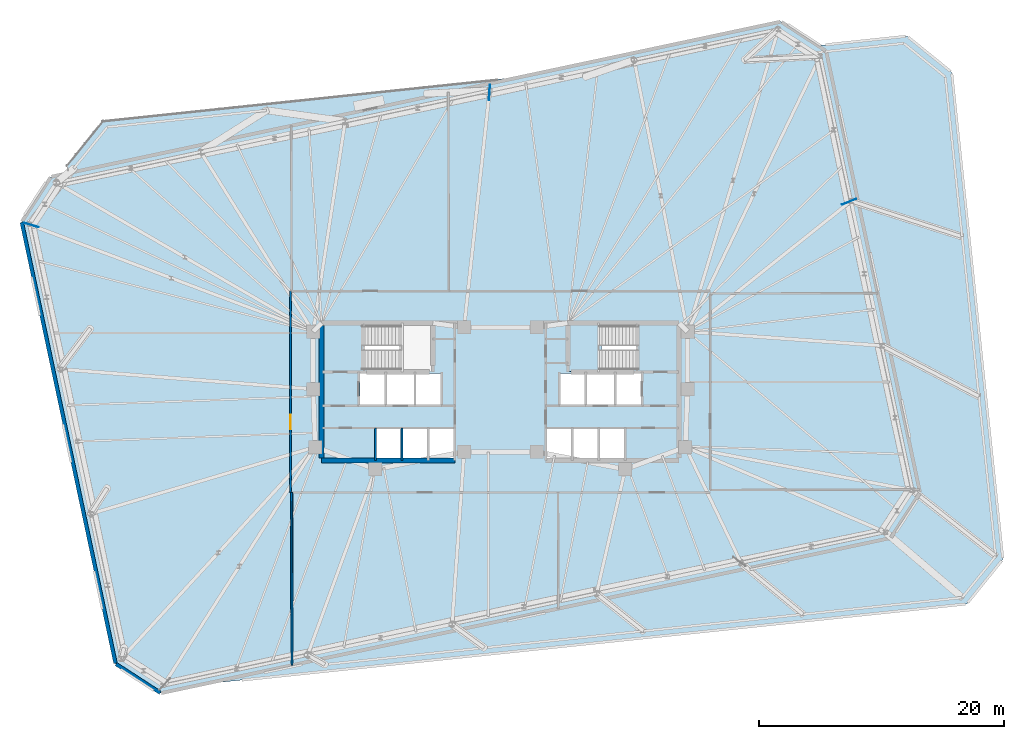
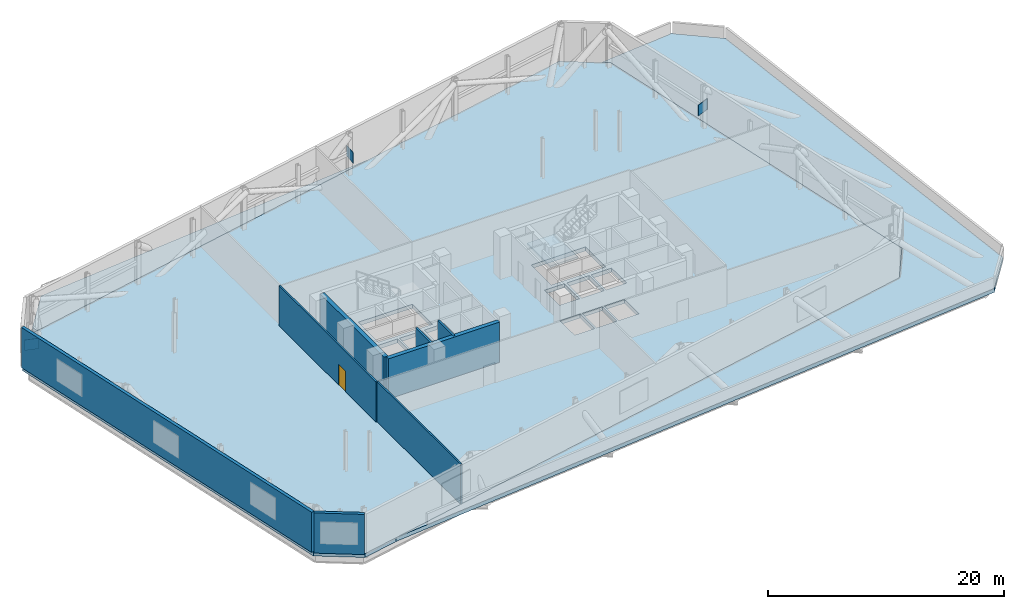
# One storey, part 13 of 19: 8 walls, 4 slabs, 3 plates, 1 door, 1 opening, 1 element without a shape of its own.
"""IFC4 building model written with IfcOpenShell, lengths in metres."""

from ifc_helpers import new_model, si_unit, direction, frame, frame_2d, origin, origin_2d, place, context, subcontext, project, spatial, polyline, rectangle, outline, extrude, material, layer, layer_set, type_object, element, fill, aggregate, save


model = new_model("IFC4")

# Units and contexts
model_context = context("Model", 3, precision=1e-05, world=origin(), true_north=direction((0.0, 1.0)))
body_context = subcontext(model_context, "Body", "Model", "MODEL_VIEW")
ifc_project = project(units=[si_unit("LENGTHUNIT", "METRE"), si_unit("AREAUNIT", "SQUARE_METRE"), si_unit("VOLUMEUNIT", "CUBIC_METRE"), si_unit("PLANEANGLEUNIT", "RADIAN"), si_unit("MASSUNIT", "GRAM", prefix="KILO")], contexts=[model_context])

# Site, building, storey
site_placement = place(None, origin())
site = spatial("IfcSite", under=ifc_project, at=site_placement, CompositionType="ELEMENT")
building_placement = place(site_placement, origin())
building = spatial("IfcBuilding", under=site, at=building_placement, Name="Menara Jurai Vektor", CompositionType="ELEMENT")
storey_placement = place(building_placement, frame((0.0, 0.0, 142.89990234375)))
storey = spatial("IfcBuildingStorey", under=building, at=storey_placement, Name="L36", CompositionType="ELEMENT", Elevation=142.89990234375)

# Stair, slab
ifc_material_1 = material(Name="Concrete C40/50", Category="concrete")
stair_type = type_object("IfcStairType", Name="STAIR-DOGLEG-1500", PredefinedType="HALF_TURN_STAIR", material=ifc_material_1)
stair_placement = place(storey_placement, origin())
stair = element("IfcStair", 1, at=stair_placement, inside=storey, type_object=stair_type, Name="Protected Exit Stair ST2 L36", PredefinedType="HALF_TURN_STAIR")
ifc_layer_1 = layer(ifc_material_1, 0.199951171875)
ifc_layer_set_1 = layer_set([ifc_layer_1], Name="Concrete C40/50")
slab_type_1 = type_object("IfcSlabType", Name="STAIR-LANDING-200", PredefinedType="LANDING", material=ifc_layer_set_1)
slab_1_placement = place(storey_placement, frame((0.0, 0.0, 2.0)))
slab_1 = element("IfcSlab", 2, at=slab_1_placement, type_object=slab_type_1, Name="ST2 landing 1", PredefinedType="LANDING", context=body_context, shape_type="SweptSolid", body=[
    extrude(outline(polyline([(5.550048828125, 1.64990234375), (8.239990234375, 1.64990234375), (8.239990234375, 5.550048828125), (5.550048828125, 5.550048828125), (5.550048828125, 1.64990234375)])), origin(), (0.0, 0.0, 1.0), 0.2001953125),
])
aggregate(stair, [slab_1])

# Plates
ifc_material_2 = material(Name="Steel S460", Category="steel")
ifc_layer_2 = layer(ifc_material_2, 0.0400390625)
ifc_layer_set_2 = layer_set([ifc_layer_2], Name="Steel S460")
plate_type = type_object("IfcPlateType", Name="STR-PLT-GUSSET40", PredefinedType="SHEET", material=ifc_layer_set_2)
for number, where, z_axis, x_axis, name in (
    (3, (28.419921875, 15.480224609375, 1.650146484375), (0.0, 0.0, 1.0), (-0.924811845594, -0.380424828643, 0.0), "Transfer Truss Gusset Plate L36-09"),
    (4, (-0.883544921875, 24.373291015625, 1.650146484375), (0.0, 0.0, 1.0), (-0.070104685031, -0.997539639882, 0.0), "Transfer Truss Gusset Plate L36-13"),
    (5, (-38.225830078125, 13.5830078125, 1.650146484375), (0.0, 0.0, 1.0), (0.957571360805, -0.288196268134, 0.0), "Transfer Truss Gusset Plate L36-17"),
):
    element("IfcPlate", number, at=place(storey_placement, frame(where, z_axis=z_axis, x_axis=x_axis)), inside=storey, type_object=plate_type, Name=name, PredefinedType="SHEET", context=body_context, shape_type="SweptSolid", body=[
        extrude(rectangle(XDim=1.25, YDim=0.0400390625, at=origin_2d()), origin(), (0.0, 0.0, 1.0), 1.10009765625),
    ])

# Slabs
ifc_layer_3 = layer(ifc_material_1, 0.280029296875)
ifc_layer_set_3 = layer_set([ifc_layer_3], Name="Concrete C40/50")
slab_type_2 = type_object("IfcSlabType", Name="STR-ROOF-TER280", PredefinedType="ROOF", material=ifc_layer_set_3)
slab_2_placement = place(storey_placement, frame((0.0, 0.0, -0.40478515625)))
element("IfcSlab", 6, at=slab_2_placement, inside=storey, type_object=slab_type_2, Name="Block Setback Maintenance Roof Slab L36-1", PredefinedType="ROOF", context=body_context, shape_type="SweptSolid", body=[
    extrude(outline(polyline([(25.86572265625, 28.202392578125), (26.54248046875, 27.762939453125), (34.193603515625, -8.23291015625), (31.805908203125, -11.90966796875), (-24.217041015625, -23.817626953125), (37.999755859375, -17.2783203125), (40.936767578125, -13.651611328125), (36.76611328125, 26.02978515625), (33.13916015625, 28.966796875), (25.86572265625, 28.202392578125)])), origin(), (0.0, 0.0, 1.0), 0.40478515625),
])
slab_3_placement = place(storey_placement, frame((0.0, 0.0, -0.40478515625)))
element("IfcSlab", 7, at=slab_3_placement, inside=storey, type_object=slab_type_2, Name="Spiral Step Terrace Roof Slab L36", PredefinedType="ROOF", context=body_context, shape_type="SweptSolid", body=[
    extrude(outline(polyline([(-35.267578125, 17.794189453125), (1.799072265625, 25.6728515625), (-32.39990234375, 22.078369140625), (-35.3369140625, 18.45166015625), (-35.267578125, 17.794189453125)])), origin(), (0.0, 0.0, 1.0), 0.40478515625),
])
ifc_material_3 = material(Name="Concrete C50/60", Category="concrete")
ifc_layer_4 = layer(ifc_material_3, 0.405029296875)
ifc_layer_set_4 = layer_set([ifc_layer_4], Name="Concrete C50/60")
slab_type_3 = type_object("IfcSlabType", Name="STR-SLAB-TR405", PredefinedType="FLOOR", material=ifc_layer_set_4)
slab_4_placement = place(storey_placement, frame((0.0, 0.0, -0.40478515625)))
element("IfcSlab", 8, at=slab_4_placement, inside=storey, type_object=slab_type_3, Name="Composite Floor Slab L36", PredefinedType="FLOOR", context=body_context, shape_type="SweptSolid", body=[
    extrude(outline(polyline([(-27.66552734375, -24.55078125), (31.805908203125, -11.90966796875), (34.193603515625, -8.23291015625), (26.54248046875, 27.762939453125), (22.865478515625, 30.150634765625), (-36.605712890625, 17.509765625), (-38.993408203125, 13.8330078125), (-31.34228515625, -22.1630859375), (-27.66552734375, -24.55078125)]), holes=[polyline([(-11.10009765625, 1.89990234375), (-11.10009765625, 5.300048828125), (-5.800048828125, 5.300048828125), (-5.800048828125, 1.89990234375), (-11.10009765625, 1.89990234375)]), polyline([(5.800048828125, 1.89990234375), (5.800048828125, 5.300048828125), (11.10009765625, 5.300048828125), (11.10009765625, 1.89990234375), (5.800048828125, 1.89990234375)]), polyline([(-11.449951171875, -1.050048828125), (-11.449951171875, 1.5), (-9.449951171875, 1.5), (-9.449951171875, -1.050048828125), (-11.449951171875, -1.050048828125)]), polyline([(9.449951171875, -1.050048828125), (9.449951171875, 1.5), (11.449951171875, 1.5), (11.449951171875, -1.050048828125), (9.449951171875, -1.050048828125)]), polyline([(-5.760009765625, -5.5), (-5.760009765625, -3.050048828125), (-3.800048828125, -3.050048828125), (-3.800048828125, -5.5), (-5.760009765625, -5.5)]), polyline([(-6.85009765625, -1.050048828125), (-6.85009765625, 1.5), (-4.889892578125, 1.5), (-4.889892578125, -1.050048828125), (-6.85009765625, -1.050048828125)]), polyline([(3.800048828125, -5.5), (3.800048828125, -3.050048828125), (5.760009765625, -3.050048828125), (5.760009765625, -5.5), (3.800048828125, -5.5)]), polyline([(4.889892578125, -1.050048828125), (4.889892578125, 1.5), (6.85009765625, 1.5), (6.85009765625, -1.050048828125), (4.889892578125, -1.050048828125)]), polyline([(-10.080078125, -5.5), (-10.080078125, -3.050048828125), (-8.1201171875, -3.050048828125), (-8.1201171875, -5.5), (-10.080078125, -5.5)]), polyline([(-7.919921875, -5.5), (-7.919921875, -3.050048828125), (-5.9599609375, -3.050048828125), (-5.9599609375, -5.5), (-7.919921875, -5.5)]), polyline([(5.9599609375, -5.5), (5.9599609375, -3.050048828125), (7.919921875, -3.050048828125), (7.919921875, -5.5), (5.9599609375, -5.5)]), polyline([(8.1201171875, -5.5), (8.1201171875, -3.050048828125), (10.080078125, -3.050048828125), (10.080078125, -5.5), (8.1201171875, -5.5)]), polyline([(-9.25, -1.050048828125), (-9.25, 1.5), (-7.050048828125, 1.5), (-7.050048828125, -1.050048828125), (-9.25, -1.050048828125)]), polyline([(7.050048828125, -1.050048828125), (7.050048828125, 1.5), (9.25, 1.5), (9.25, -1.050048828125), (7.050048828125, -1.050048828125)])]), origin(), (0.0, 0.0, 1.0), 0.40478515625),
])

# Walls
ifc_material_4 = material(Name="Insulated Pale Aluminium Spandrel Wall", Category="aluminium")
ifc_layer_5 = layer(ifc_material_4, 0.300048828125)
ifc_layer_set_5 = layer_set([ifc_layer_5], Name="Insulated Pale Aluminium Spandrel Wall")
wall_type_1 = type_object("IfcWallType", Name="ENV-WALL-EXT300", PredefinedType="STANDARD", material=ifc_layer_set_5)
wall_1_placement = place(storey_placement, frame((-38.984130859375, 13.788818359375, 0.0), z_axis=(0.0, 0.0, 1.0), x_axis=(0.207909183918, -0.978148133589, 0.0)))
element("IfcWall", 9, at=wall_1_placement, inside=storey, type_object=wall_type_1, Name="Plant Floor Enclosure Wall L36-07", PredefinedType="STANDARD", context=body_context, shape_type="SweptSolid", body=[
    extrude(rectangle(XDim=36.7099609375, YDim=0.300048828125, at=frame_2d((18.35498046875, 0.0))), origin(), (0.0, 0.0, 1.0), 4.150146484375),
])
wall_2_placement = place(storey_placement, frame((-31.3046875, -22.1875, 0.0), z_axis=(0.0, 0.0, 1.0), x_axis=(0.838681252121, -0.544622582474, 0.0)))
element("IfcWall", 10, at=wall_2_placement, inside=storey, type_object=wall_type_1, Name="Plant Floor Enclosure Wall L36-08", PredefinedType="STANDARD", context=body_context, shape_type="SweptSolid", body=[
    extrude(rectangle(XDim=4.2939453125, YDim=0.300048828125, at=frame_2d((2.14697265625, 0.0))), origin(), (0.0, 0.0, 1.0), 4.150146484375),
])

# Wall, opening, door
ifc_material_5 = material(Name="Gypsum Fireboard Partition", Category="gypsum")
ifc_layer_6 = layer(ifc_material_5, 0.14990234375)
ifc_layer_set_6 = layer_set([ifc_layer_6], Name="Gypsum Fireboard Partition")
wall_type_2 = type_object("IfcWallType", Name="INT-WALL-CORR-150", PredefinedType="PARTITIONING", material=ifc_layer_set_6)
wall_3_placement = place(storey_placement, frame((-17.10009765625, -8.199951171875, 0.0), z_axis=(0.0, 0.0, 1.0), x_axis=(0.0, 1.0, 0.0)))
wall_3 = element("IfcWall", 11, at=wall_3_placement, inside=storey, type_object=wall_type_2, Name="Interior Wall IW-150 L36", PredefinedType="PARTITIONING", context=body_context, shape_type="SweptSolid", body=[
    extrude(rectangle(XDim=16.39990234375, YDim=0.14990234375, at=frame_2d((8.199951171875, 0.0))), origin(), (0.0, 0.0, 1.0), 4.150146484375),
])
opening_placement = place(wall_3_placement, frame((5.1650390625, 0.0, 0.0)))
opening = element("IfcOpeningElement", 12, at=opening_placement, cuts=wall_3, Name="Opening D36-10", PredefinedType="OPENING", context=body_context, shape_type="SweptSolid", body=[
    extrude(rectangle(XDim=1.14990234375, YDim=2.14990234375, at=frame_2d((0.574951171875, 1.074951171875))), frame((0.0, 0.0849609375, 0.0), z_axis=(0.0, -1.0, 0.0), x_axis=(1.0, 0.0, 0.0)), (0.0, 0.0, 1.0), 0.169921875),
])
ifc_material_6 = material(Name="Fire-Rated Steel Plant Door", Category="steel")
door_type = type_object("IfcDoorType", Name="DR-PLANT-1150", OperationType="NOTDEFINED", PredefinedType="DOOR", material=ifc_material_6)
door_placement = place(opening_placement, origin())
door = element("IfcDoor", 13, at=door_placement, inside=storey, type_object=door_type, Name="Interior Door D36-10", OperationType="SINGLE_SWING_LEFT", OverallHeight=2.14990234375, OverallWidth=1.14990234375, PredefinedType="DOOR", context=body_context, shape_type="SweptSolid", body=[
    extrude(rectangle(XDim=1.14990234375, YDim=2.14990234375, at=frame_2d((0.574951171875, 1.074951171875))), frame((0.0, 0.02490234375, 0.0), z_axis=(0.0, -1.0, 0.0), x_axis=(1.0, 0.0, 0.0)), (0.0, 0.0, 1.0), 0.050048828125),
])
fill(opening, door)

# Walls
wall_4_placement = place(storey_placement, frame((-16.96875, -22.277099609375, 0.0), z_axis=(0.0, 0.0, 1.0), x_axis=(-0.002219904346, 0.999997536009, 0.0)))
element("IfcWall", 14, at=wall_4_placement, inside=storey, type_object=wall_type_2, Name="Interior Wall IW-150 L36", PredefinedType="PARTITIONING", context=body_context, shape_type="SweptSolid", body=[
    extrude(rectangle(XDim=14.0771484375, YDim=0.14990234375, at=frame_2d((7.03857421875, 0.0))), origin(), (0.0, 0.0, 1.0), 4.150146484375),
])
ifc_layer_7 = layer(ifc_material_1, 0.199951171875)
ifc_layer_set_7 = layer_set([ifc_layer_7], Name="Concrete C40/50")
wall_type_3 = type_object("IfcWallType", Name="INT-WALL-SHAFT-200", PredefinedType="STANDARD", material=ifc_layer_set_7)
for number, where, z_axis, x_axis, name in (
    (15, (-10.179931640625, -5.60009765625, 0.0), (0.0, 0.0, 1.0), (0.0, 1.0, 0.0), "Interior Wall IW-200 L36"),
    (16, (-8.02001953125, -5.60009765625, 0.0), (0.0, 0.0, 1.0), (0.0, 1.0, 0.0), "Interior Wall IW-200 L36"),
):
    element("IfcWall", number, at=place(storey_placement, frame(where, z_axis=z_axis, x_axis=x_axis)), inside=storey, type_object=wall_type_3, Name=name, PredefinedType="STANDARD", context=body_context, shape_type="SweptSolid", body=[
        extrude(rectangle(XDim=2.650146484375, YDim=0.179931640625, at=frame_2d((1.3251953125, 0.0))), origin(), (0.0, 0.0, 1.0), 4.150146484375),
    ])
ifc_layer_8 = layer(ifc_material_3, 0.39990234375)
ifc_layer_set_8 = layer_set([ifc_layer_8], Name="Concrete C50/60")
wall_type_4 = type_object("IfcWallType", Name="STR-WALL-CORE400", PredefinedType="SHEAR", material=ifc_layer_set_8)
wall_5_placement = place(storey_placement, frame((-14.56005859375, -5.60009765625, 0.0), z_axis=(0.0, 0.0, 1.0), x_axis=(1.0, 0.0, 0.0)))
element("IfcWall", 17, at=wall_5_placement, inside=storey, type_object=wall_type_4, Name="Core Shear Wall CW-W-S L36", PredefinedType="SHEAR", context=body_context, shape_type="SweptSolid", body=[
    extrude(rectangle(XDim=10.860107421875, YDim=0.39990234375, at=frame_2d((5.43017578125, 0.0))), origin(), (0.0, 0.0, 1.0), 4.150146484375),
])
wall_6_placement = place(storey_placement, frame((-14.56005859375, -5.39990234375, 0.0), z_axis=(0.0, 0.0, 1.0), x_axis=(0.0, 1.0, 0.0)))
element("IfcWall", 18, at=wall_6_placement, inside=storey, type_object=wall_type_4, Name="Core Shear Wall CW-W-W L36", PredefinedType="SHEAR", context=body_context, shape_type="SweptSolid", body=[
    extrude(rectangle(XDim=10.7998046875, YDim=0.39990234375, at=frame_2d((5.39990234375, 0.0))), origin(), (0.0, 0.0, 1.0), 4.150146484375),
])

save(model, "model.ifc")
